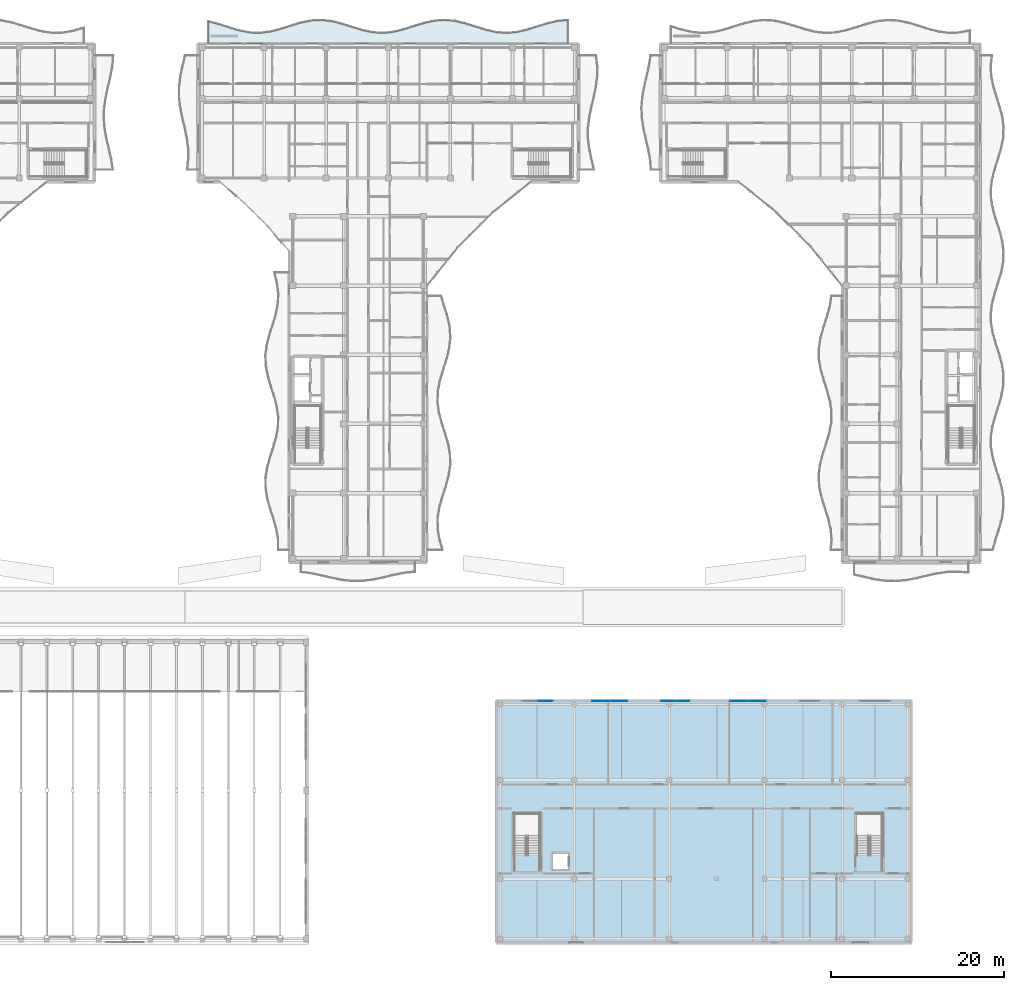
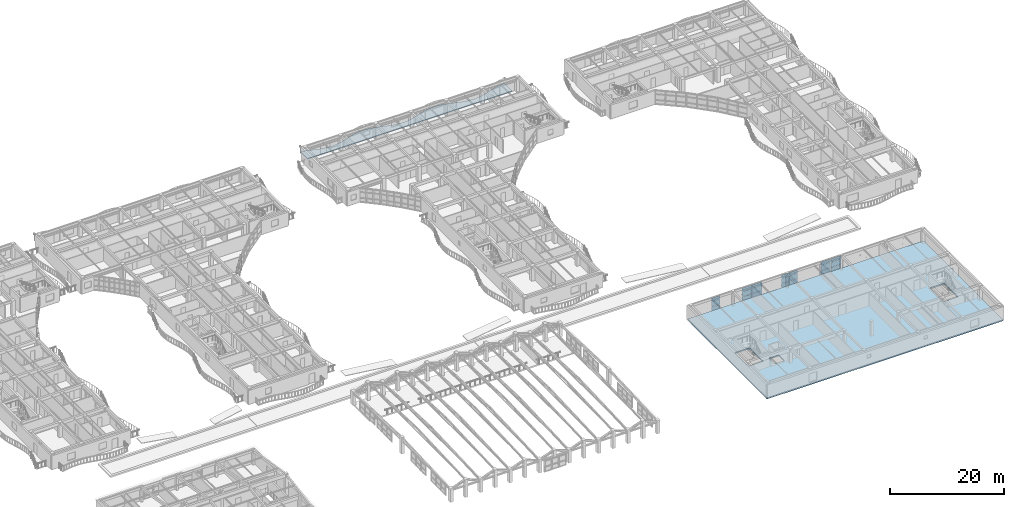
# One storey, part 76 of 128: 21 plates, 2 slabs, 4 elements without a shape of their own.
"""IFC4 building model written with IfcOpenShell, lengths in metres."""

from ifc_helpers import new_model, si_unit, direction, frame, origin, origin_2d, place, context, subcontext, project, spatial, polyline, rectangle, outline, extrude, material, layer, layer_set, type_object, element, aggregate, save


model = new_model("IFC4")

# Units and contexts
model_context = context("Model", 3, precision=1e-05, world=origin(), true_north=direction((0.0, 1.0)))
body_context = subcontext(model_context, "Body", "Model", "MODEL_VIEW")
ifc_project = project(units=[si_unit("LENGTHUNIT", "METRE"), si_unit("AREAUNIT", "SQUARE_METRE"), si_unit("VOLUMEUNIT", "CUBIC_METRE"), si_unit("PLANEANGLEUNIT", "RADIAN"), si_unit("MASSUNIT", "GRAM", prefix="KILO")], contexts=[model_context])

# Site, building, storey
site_placement = place(None, origin())
site = spatial("IfcSite", under=ifc_project, at=site_placement, CompositionType="ELEMENT")
building_placement = place(site_placement, origin())
building = spatial("IfcBuilding", under=site, at=building_placement, Name="Keldmere Railside Commons", CompositionType="ELEMENT")
storey_placement = place(building_placement, frame((0.0, 0.0, 4.159912109375)))
storey = spatial("IfcBuildingStorey", under=building, at=storey_placement, Name="L01", CompositionType="ELEMENT", Elevation=4.159912109375)

# Curtain wall, plates
ifc_material_1 = material(Name="Thermally Broken Aluminium", Category="aluminium")
ifc_layer_1 = layer(ifc_material_1, 0.159912109375, Name="Sky-Terrace Lounge CW 3400x2850")
ifc_layer_set_1 = layer_set([ifc_layer_1], Name="Thermally Broken Aluminium")
curtain_wall_type_1 = type_object("IfcCurtainWallType", Name="Sky-Terrace Lounge CW 3400x2850", PredefinedType="NOTDEFINED", material=ifc_layer_set_1)
curtain_wall_1_placement = place(storey_placement, origin())
curtain_wall_1 = element("IfcCurtainWall", 1, at=curtain_wall_1_placement, inside=storey, type_object=curtain_wall_type_1, Name="CW-14 CW-L01-220", PredefinedType="NOTDEFINED")
ifc_material_2 = material(Name="Low-E Insulated Double Glazing", Category="glass")
ifc_layer_2 = layer(ifc_material_2, 0.033935546875, Name="Acoustic Laminated Vision Panel 34")
ifc_layer_set_2 = layer_set([ifc_layer_2], Name="Low-E Insulated Double Glazing")
plate_type_1 = type_object("IfcPlateType", Name="Acoustic Laminated Vision Panel 34", PredefinedType="CURTAIN_PANEL", material=ifc_layer_set_2)
plate_1_placement = place(storey_placement, frame((147.8662109375, 39.949951171875, 0.06494140625), z_axis=(0.0, 0.0, 1.0), x_axis=(1.0, 0.0, 0.0)))
plate_1 = element("IfcPlate", 2, at=plate_1_placement, type_object=plate_type_1, Name="CW-14 panel 1.1", PredefinedType="CURTAIN_PANEL", context=body_context, shape_type="SweptSolid", body=[
    extrude(rectangle(XDim=1.6025390625, YDim=0.033935546875, at=origin_2d()), origin(), (0.0, 0.0, 1.0), 0.802490234375),
])
plate_2_placement = place(storey_placement, frame((147.8662109375, 39.949951171875, 0.9326171875), z_axis=(0.0, 0.0, 1.0), x_axis=(1.0, 0.0, 0.0)))
plate_2 = element("IfcPlate", 3, at=plate_2_placement, type_object=plate_type_1, Name="CW-14 panel 1.2", PredefinedType="CURTAIN_PANEL", context=body_context, shape_type="SweptSolid", body=[
    extrude(rectangle(XDim=1.6025390625, YDim=0.033935546875, at=origin_2d()), origin(), (0.0, 0.0, 1.0), 1.0849609375),
])
plate_3_placement = place(storey_placement, frame((147.8662109375, 39.949951171875, 2.08251953125), z_axis=(0.0, 0.0, 1.0), x_axis=(1.0, 0.0, 0.0)))
plate_3 = element("IfcPlate", 4, at=plate_3_placement, type_object=plate_type_1, Name="CW-14 panel 1.3", PredefinedType="CURTAIN_PANEL", context=body_context, shape_type="SweptSolid", body=[
    extrude(rectangle(XDim=1.6025390625, YDim=0.033935546875, at=origin_2d()), origin(), (0.0, 0.0, 1.0), 0.652587890625),
])
plate_4_placement = place(storey_placement, frame((149.53369140625, 39.949951171875, 0.06494140625), z_axis=(0.0, 0.0, 1.0), x_axis=(1.0, 0.0, 0.0)))
plate_4 = element("IfcPlate", 5, at=plate_4_placement, type_object=plate_type_1, Name="CW-14 panel 2.1", PredefinedType="CURTAIN_PANEL", context=body_context, shape_type="SweptSolid", body=[
    extrude(rectangle(XDim=1.6025390625, YDim=0.033935546875, at=origin_2d()), origin(), (0.0, 0.0, 1.0), 0.802490234375),
])
plate_5_placement = place(storey_placement, frame((149.53369140625, 39.949951171875, 0.9326171875), z_axis=(0.0, 0.0, 1.0), x_axis=(1.0, 0.0, 0.0)))
plate_5 = element("IfcPlate", 6, at=plate_5_placement, type_object=plate_type_1, Name="CW-14 panel 2.2", PredefinedType="CURTAIN_PANEL", context=body_context, shape_type="SweptSolid", body=[
    extrude(rectangle(XDim=1.6025390625, YDim=0.033935546875, at=origin_2d()), origin(), (0.0, 0.0, 1.0), 1.0849609375),
])
plate_6_placement = place(storey_placement, frame((149.53369140625, 39.949951171875, 2.08251953125), z_axis=(0.0, 0.0, 1.0), x_axis=(1.0, 0.0, 0.0)))
plate_6 = element("IfcPlate", 7, at=plate_6_placement, type_object=plate_type_1, Name="CW-14 panel 2.3", PredefinedType="CURTAIN_PANEL", context=body_context, shape_type="SweptSolid", body=[
    extrude(rectangle(XDim=1.6025390625, YDim=0.033935546875, at=origin_2d()), origin(), (0.0, 0.0, 1.0), 0.652587890625),
])
aggregate(curtain_wall_1, [plate_1, plate_2, plate_3, plate_4, plate_5, plate_6])

# Slab
ifc_material_3 = material(Name="Concrete H-30 (C30/37)", Category="concrete")
ifc_layer_3 = layer(ifc_material_3, 0.260009765625, Name="Civic Upper Floor Slab 260")
ifc_layer_set_3 = layer_set([ifc_layer_3], Name="Concrete H-30 (C30/37)")
slab_type_1 = type_object("IfcSlabType", Name="Civic Upper Floor Slab 260", PredefinedType="FLOOR", material=ifc_layer_set_3)
slab_1_placement = place(storey_placement, frame((0.0, 0.0, -0.260009765625)))
element("IfcSlab", 8, at=slab_1_placement, inside=storey, type_object=slab_type_1, Name="FS-3 ARC-L01-078", PredefinedType="FLOOR", context=body_context, shape_type="SweptSolid", body=[
    extrude(outline(polyline([(176.0, 12.0), (176.0, 40.0), (128.0, 40.0), (128.0, 12.0), (176.0, 12.0)]), holes=[polyline([(136.39990234375, 20.39990234375), (134.39990234375, 20.39990234375), (134.39990234375, 22.39990234375), (136.39990234375, 22.39990234375), (136.39990234375, 20.39990234375)]), polyline([(130.0849609375, 22.074951171875), (130.0849609375, 26.875), (133.02490234375, 26.875), (133.02490234375, 22.074951171875), (130.0849609375, 22.074951171875)]), polyline([(169.68505859375, 22.074951171875), (169.68505859375, 26.875), (172.625, 26.875), (172.625, 22.074951171875), (169.68505859375, 22.074951171875)])]), origin(), (0.0, 0.0, 1.0), 0.260009765625),
])

# Curtain wall, plates
ifc_layer_4 = layer(ifc_material_1, 0.159912109375, Name="Market Arcade Upper Gallery CW 3600x2800")
ifc_layer_set_4 = layer_set([ifc_layer_4], Name="Thermally Broken Aluminium")
curtain_wall_type_2 = type_object("IfcCurtainWallType", Name="Market Arcade Upper Gallery CW 3600x2800", PredefinedType="NOTDEFINED", material=ifc_layer_set_4)
curtain_wall_2_placement = place(storey_placement, origin())
curtain_wall_2 = element("IfcCurtainWall", 9, at=curtain_wall_2_placement, inside=storey, type_object=curtain_wall_type_2, Name="CW-03 CW-L01-218", PredefinedType="NOTDEFINED")
ifc_layer_5 = layer(ifc_material_2, 0.031982421875, Name="Clerestory Solar-Control Vision Panel 32")
ifc_layer_set_5 = layer_set([ifc_layer_5], Name="Low-E Insulated Double Glazing")
plate_type_2 = type_object("IfcPlateType", Name="Clerestory Solar-Control Vision Panel 32", PredefinedType="CURTAIN_PANEL", material=ifc_layer_set_5)
plate_7_placement = place(storey_placement, frame((133.683837890625, 39.949951171875, 0.06494140625), z_axis=(0.0, 0.0, 1.0), x_axis=(1.0, 0.0, 0.0)))
plate_7 = element("IfcPlate", 10, at=plate_7_placement, type_object=plate_type_2, Name="CW-03 panel 2.1", PredefinedType="CURTAIN_PANEL", context=body_context, shape_type="SweptSolid", body=[
    extrude(rectangle(XDim=1.702392578125, YDim=0.031982421875, at=origin_2d()), origin(), (0.0, 0.0, 1.0), 0.802490234375),
])
plate_8_placement = place(storey_placement, frame((133.683837890625, 39.949951171875, 0.9326171875), z_axis=(0.0, 0.0, 1.0), x_axis=(1.0, 0.0, 0.0)))
plate_8 = element("IfcPlate", 11, at=plate_8_placement, type_object=plate_type_2, Name="CW-03 panel 2.2", PredefinedType="CURTAIN_PANEL", context=body_context, shape_type="SweptSolid", body=[
    extrude(rectangle(XDim=1.702392578125, YDim=0.031982421875, at=origin_2d()), origin(), (0.0, 0.0, 1.0), 1.0849609375),
])
plate_9_placement = place(storey_placement, frame((133.683837890625, 39.949951171875, 2.08251953125), z_axis=(0.0, 0.0, 1.0), x_axis=(1.0, 0.0, 0.0)))
plate_9 = element("IfcPlate", 12, at=plate_9_placement, type_object=plate_type_2, Name="CW-03 panel 2.3", PredefinedType="CURTAIN_PANEL", context=body_context, shape_type="SweptSolid", body=[
    extrude(rectangle(XDim=1.702392578125, YDim=0.031982421875, at=origin_2d()), origin(), (0.0, 0.0, 1.0), 0.652587890625),
])
aggregate(curtain_wall_2, [plate_7, plate_8, plate_9])

ifc_layer_6 = layer(ifc_material_1, 0.159912109375, Name="Sky-Terrace Corner CW 4200x2850")
ifc_layer_set_6 = layer_set([ifc_layer_6], Name="Thermally Broken Aluminium")
curtain_wall_type_3 = type_object("IfcCurtainWallType", Name="Sky-Terrace Corner CW 4200x2850", PredefinedType="NOTDEFINED", material=ifc_layer_set_6)
curtain_wall_3_placement = place(storey_placement, origin())
curtain_wall_3 = element("IfcCurtainWall", 13, at=curtain_wall_3_placement, inside=storey, type_object=curtain_wall_type_3, Name="CW-15 CW-L01-221", PredefinedType="NOTDEFINED")
plate_10_placement = place(storey_placement, frame((156.066162109375, 39.949951171875, 0.06494140625), z_axis=(0.0, 0.0, 1.0), x_axis=(1.0, 0.0, 0.0)))
plate_10 = element("IfcPlate", 14, at=plate_10_placement, type_object=plate_type_2, Name="CW-15 panel 1.1", PredefinedType="CURTAIN_PANEL", context=body_context, shape_type="SweptSolid", body=[
    extrude(rectangle(XDim=2.00244140625, YDim=0.031982421875, at=origin_2d()), origin(), (0.0, 0.0, 1.0), 0.802490234375),
])
plate_11_placement = place(storey_placement, frame((156.066162109375, 39.949951171875, 0.9326171875), z_axis=(0.0, 0.0, 1.0), x_axis=(1.0, 0.0, 0.0)))
plate_11 = element("IfcPlate", 15, at=plate_11_placement, type_object=plate_type_2, Name="CW-15 panel 1.2", PredefinedType="CURTAIN_PANEL", context=body_context, shape_type="SweptSolid", body=[
    extrude(rectangle(XDim=2.00244140625, YDim=0.031982421875, at=origin_2d()), origin(), (0.0, 0.0, 1.0), 1.0849609375),
])
plate_12_placement = place(storey_placement, frame((156.066162109375, 39.949951171875, 2.08251953125), z_axis=(0.0, 0.0, 1.0), x_axis=(1.0, 0.0, 0.0)))
plate_12 = element("IfcPlate", 16, at=plate_12_placement, type_object=plate_type_2, Name="CW-15 panel 1.3", PredefinedType="CURTAIN_PANEL", context=body_context, shape_type="SweptSolid", body=[
    extrude(rectangle(XDim=2.00244140625, YDim=0.031982421875, at=origin_2d()), origin(), (0.0, 0.0, 1.0), 0.652587890625),
])
plate_13_placement = place(storey_placement, frame((158.1337890625, 39.949951171875, 0.06494140625), z_axis=(0.0, 0.0, 1.0), x_axis=(1.0, 0.0, 0.0)))
plate_13 = element("IfcPlate", 17, at=plate_13_placement, type_object=plate_type_2, Name="CW-15 panel 2.1", PredefinedType="CURTAIN_PANEL", context=body_context, shape_type="SweptSolid", body=[
    extrude(rectangle(XDim=2.00244140625, YDim=0.031982421875, at=origin_2d()), origin(), (0.0, 0.0, 1.0), 0.802490234375),
])
plate_14_placement = place(storey_placement, frame((158.1337890625, 39.949951171875, 0.9326171875), z_axis=(0.0, 0.0, 1.0), x_axis=(1.0, 0.0, 0.0)))
plate_14 = element("IfcPlate", 18, at=plate_14_placement, type_object=plate_type_2, Name="CW-15 panel 2.2", PredefinedType="CURTAIN_PANEL", context=body_context, shape_type="SweptSolid", body=[
    extrude(rectangle(XDim=2.00244140625, YDim=0.031982421875, at=origin_2d()), origin(), (0.0, 0.0, 1.0), 1.0849609375),
])
plate_15_placement = place(storey_placement, frame((158.1337890625, 39.949951171875, 2.08251953125), z_axis=(0.0, 0.0, 1.0), x_axis=(1.0, 0.0, 0.0)))
plate_15 = element("IfcPlate", 19, at=plate_15_placement, type_object=plate_type_2, Name="CW-15 panel 2.3", PredefinedType="CURTAIN_PANEL", context=body_context, shape_type="SweptSolid", body=[
    extrude(rectangle(XDim=2.00244140625, YDim=0.031982421875, at=origin_2d()), origin(), (0.0, 0.0, 1.0), 0.652587890625),
])
aggregate(curtain_wall_3, [plate_10, plate_11, plate_12, plate_13, plate_14, plate_15])

ifc_layer_7 = layer(ifc_material_1, 0.159912109375, Name="Market Arcade Upper Gallery CW 4200x2800")
ifc_layer_set_7 = layer_set([ifc_layer_7], Name="Thermally Broken Aluminium")
curtain_wall_type_4 = type_object("IfcCurtainWallType", Name="Market Arcade Upper Gallery CW 4200x2800", PredefinedType="NOTDEFINED", material=ifc_layer_set_7)
curtain_wall_4_placement = place(storey_placement, origin())
curtain_wall_4 = element("IfcCurtainWall", 20, at=curtain_wall_4_placement, inside=storey, type_object=curtain_wall_type_4, Name="CW-04 CW-L01-219", PredefinedType="NOTDEFINED")
ifc_layer_8 = layer(ifc_material_2, 0.028076171875, Name="Low-E Vision Glazing Panel 28")
ifc_layer_set_8 = layer_set([ifc_layer_8], Name="Low-E Insulated Double Glazing")
plate_type_3 = type_object("IfcPlateType", Name="Low-E Vision Glazing Panel 28", PredefinedType="CURTAIN_PANEL", material=ifc_layer_set_8)
plate_16_placement = place(storey_placement, frame((140.066162109375, 39.949951171875, 0.06494140625), z_axis=(0.0, 0.0, 1.0), x_axis=(1.0, 0.0, 0.0)))
plate_16 = element("IfcPlate", 21, at=plate_16_placement, type_object=plate_type_3, Name="CW-04 panel 1.1", PredefinedType="CURTAIN_PANEL", context=body_context, shape_type="SweptSolid", body=[
    extrude(rectangle(XDim=2.00244140625, YDim=0.028076171875, at=origin_2d()), origin(), (0.0, 0.0, 1.0), 0.802490234375),
])
plate_17_placement = place(storey_placement, frame((140.066162109375, 39.949951171875, 0.9326171875), z_axis=(0.0, 0.0, 1.0), x_axis=(1.0, 0.0, 0.0)))
plate_17 = element("IfcPlate", 22, at=plate_17_placement, type_object=plate_type_3, Name="CW-04 panel 1.2", PredefinedType="CURTAIN_PANEL", context=body_context, shape_type="SweptSolid", body=[
    extrude(rectangle(XDim=2.00244140625, YDim=0.028076171875, at=origin_2d()), origin(), (0.0, 0.0, 1.0), 1.0849609375),
])
plate_18_placement = place(storey_placement, frame((140.066162109375, 39.949951171875, 2.08251953125), z_axis=(0.0, 0.0, 1.0), x_axis=(1.0, 0.0, 0.0)))
plate_18 = element("IfcPlate", 23, at=plate_18_placement, type_object=plate_type_3, Name="CW-04 panel 1.3", PredefinedType="CURTAIN_PANEL", context=body_context, shape_type="SweptSolid", body=[
    extrude(rectangle(XDim=2.00244140625, YDim=0.028076171875, at=origin_2d()), origin(), (0.0, 0.0, 1.0), 0.652587890625),
])
plate_19_placement = place(storey_placement, frame((142.1337890625, 39.949951171875, 0.06494140625), z_axis=(0.0, 0.0, 1.0), x_axis=(1.0, 0.0, 0.0)))
plate_19 = element("IfcPlate", 24, at=plate_19_placement, type_object=plate_type_3, Name="CW-04 panel 2.1", PredefinedType="CURTAIN_PANEL", context=body_context, shape_type="SweptSolid", body=[
    extrude(rectangle(XDim=2.00244140625, YDim=0.028076171875, at=origin_2d()), origin(), (0.0, 0.0, 1.0), 0.802490234375),
])
plate_20_placement = place(storey_placement, frame((142.1337890625, 39.949951171875, 0.9326171875), z_axis=(0.0, 0.0, 1.0), x_axis=(1.0, 0.0, 0.0)))
plate_20 = element("IfcPlate", 25, at=plate_20_placement, type_object=plate_type_3, Name="CW-04 panel 2.2", PredefinedType="CURTAIN_PANEL", context=body_context, shape_type="SweptSolid", body=[
    extrude(rectangle(XDim=2.00244140625, YDim=0.028076171875, at=origin_2d()), origin(), (0.0, 0.0, 1.0), 1.0849609375),
])
plate_21_placement = place(storey_placement, frame((142.1337890625, 39.949951171875, 2.08251953125), z_axis=(0.0, 0.0, 1.0), x_axis=(1.0, 0.0, 0.0)))
plate_21 = element("IfcPlate", 26, at=plate_21_placement, type_object=plate_type_3, Name="CW-04 panel 2.3", PredefinedType="CURTAIN_PANEL", context=body_context, shape_type="SweptSolid", body=[
    extrude(rectangle(XDim=2.00244140625, YDim=0.028076171875, at=origin_2d()), origin(), (0.0, 0.0, 1.0), 0.652587890625),
])
aggregate(curtain_wall_4, [plate_16, plate_17, plate_18, plate_19, plate_20, plate_21])

# Slab
ifc_material_4 = material(Name="White Precast Concrete H-35 (C35/45)", Category="concrete")
ifc_layer_9 = layer(ifc_material_4, 0.179931640625, Name="Sinusoidal Wave Balcony Slab 180")
ifc_layer_set_9 = layer_set([ifc_layer_9], Name="White Precast Concrete H-35 (C35/45)")
slab_type_2 = type_object("IfcSlabType", Name="Sinusoidal Wave Balcony Slab 180", PredefinedType="FLOOR", material=ifc_layer_set_9)
slab_2_placement = place(storey_placement, frame((0.0, 0.0, -0.179931640625)))
element("IfcSlab", 27, at=slab_2_placement, inside=storey, type_object=slab_type_2, Name="WB-1 B L01 N Wave Balcony", PredefinedType="FLOOR", context=body_context, shape_type="SweptSolid", body=[
    extrude(outline(polyline([(94.699951171875, 116.0), (95.888671875, 116.0), (97.0771484375, 116.0), (98.265625, 116.0), (99.454345703125, 116.0), (100.642822265625, 116.0), (101.831298828125, 116.0), (103.02001953125, 116.0), (104.20849609375, 116.0), (105.397216796875, 116.0), (106.585693359375, 116.0), (107.7744140625, 116.0), (108.962890625, 116.0), (110.1513671875, 116.0), (111.340087890625, 116.0), (112.528564453125, 116.0), (113.717041015625, 116.0), (114.90576171875, 116.0), (116.09423828125, 116.0), (117.282958984375, 116.0), (118.471435546875, 116.0), (119.659912109375, 116.0), (120.8486328125, 116.0), (122.037109375, 116.0), (123.2255859375, 116.0), (124.414306640625, 116.0), (125.602783203125, 116.0), (126.79150390625, 116.0), (127.97998046875, 116.0), (129.168701171875, 116.0), (130.357177734375, 116.0), (131.545654296875, 116.0), (132.734375, 116.0), (133.9228515625, 116.0), (135.111328125, 116.0), (136.300048828125, 116.0), (136.300048828125, 118.699951171875), (135.111328125, 118.59423828125), (133.9228515625, 118.319091796875), (132.734375, 117.947021484375), (131.545654296875, 117.57568359375), (130.357177734375, 117.302734375), (129.168701171875, 117.199951171875), (127.97998046875, 117.294677734375), (126.79150390625, 117.5615234375), (125.602783203125, 117.930419921875), (124.414306640625, 118.3046875), (123.2255859375, 118.585693359375), (122.037109375, 118.699462890625), (120.8486328125, 118.615966796875), (119.659912109375, 118.357666015625), (118.471435546875, 117.991943359375), (117.282958984375, 117.615234375), (116.09423828125, 117.32666015625), (114.90576171875, 117.201904296875), (113.717041015625, 117.27392578125), (112.528564453125, 117.523681640625), (111.340087890625, 117.8857421875), (110.1513671875, 118.2646484375), (108.962890625, 118.560791015625), (107.7744140625, 118.6962890625), (106.585693359375, 118.635498046875), (105.397216796875, 118.39453125), (104.20849609375, 118.03662109375), (103.02001953125, 117.656005859375), (101.831298828125, 117.3525390625), (100.642822265625, 117.206298828125), (99.454345703125, 117.255615234375), (98.265625, 117.48779296875), (97.0771484375, 117.84130859375), (95.888671875, 118.223388671875), (94.699951171875, 118.53369140625), (94.699951171875, 116.0)])), origin(), (0.0, 0.0, 1.0), 0.179931640625),
])

save(model, "model.ifc")
